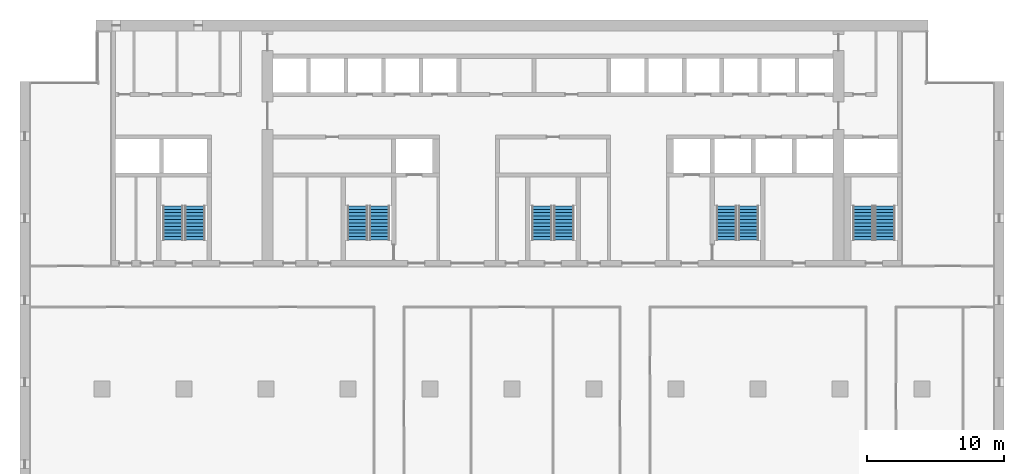
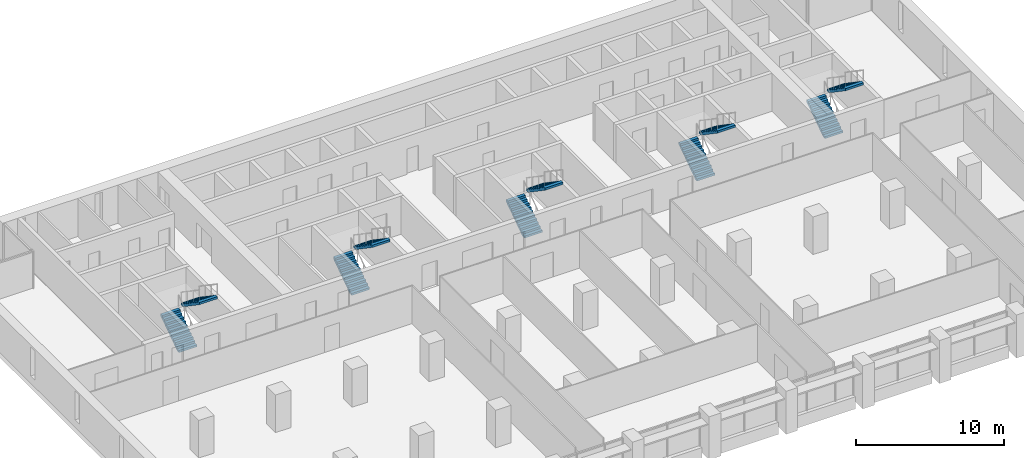
# One storey, part 12 of 15: 10 stair flights, 5 elements without a shape of their own.
"""IFC4 building model written with IfcOpenShell, lengths in metres."""

from ifc_helpers import new_model, si_unit, direction, frame, origin, place, context, subcontext, project, spatial, polyline, outline, extrude, material, type_object, element, aggregate, save


model = new_model("IFC4")

# Units and contexts
model_context = context("Model", 3, precision=1e-05, world=origin(), true_north=direction((0.0, 1.0)))
body_context = subcontext(model_context, "Body", "Model", "MODEL_VIEW")
ifc_project = project(units=[si_unit("LENGTHUNIT", "METRE"), si_unit("AREAUNIT", "SQUARE_METRE"), si_unit("VOLUMEUNIT", "CUBIC_METRE"), si_unit("PLANEANGLEUNIT", "RADIAN"), si_unit("MASSUNIT", "GRAM", prefix="KILO")], contexts=[model_context])

# Site, building, storey
site_placement = place(None, origin())
site = spatial("IfcSite", under=ifc_project, at=site_placement, CompositionType="ELEMENT")
building_placement = place(site_placement, origin())
building = spatial("IfcBuilding", under=site, at=building_placement, Name="Calvaro Tower", CompositionType="ELEMENT")
storey_placement = place(building_placement, frame((0.0, 0.0, 155.0)))
storey = spatial("IfcBuildingStorey", under=building, at=storey_placement, Name="L39", CompositionType="ELEMENT", Elevation=155.0)

# Stair, stair flights
ifc_material_1 = material(Name="Concrete C40/50", Category="concrete")
stair_type = type_object("IfcStairType", Name="Exit stair 1400 2 flights", PredefinedType="HALF_TURN_STAIR", material=ifc_material_1)
stair_1_placement = place(storey_placement, origin())
stair_1 = element("IfcStair", 1, at=stair_1_placement, inside=storey, type_object=stair_type, Name="Exit stair S1", PredefinedType="HALF_TURN_STAIR")
ifc_material_2 = material(Name="Concrete C40/50", Category="concrete")
stair_flight_type = type_object("IfcStairFlightType", Name="Stair flight", PredefinedType="STRAIGHT", material=ifc_material_2)
stair_flight_1_placement = place(storey_placement, frame((11.199951171875, 29.89990234375, 0.0), z_axis=(0.0, 0.0, 1.0), x_axis=(0.0, 1.0, 0.0)))
stair_flight_1 = element("IfcStairFlight", 2, at=stair_flight_1_placement, type_object=stair_flight_type, Name="Exit stair 1, flight 1", NumberOfRisers=11, NumberOfTreads=10, PredefinedType="STRAIGHT", RiserHeight=0.170454545, TreadLength=0.25, context=body_context, shape_type="SweptSolid", body=[
    extrude(outline(polyline([(0.0, 0.0), (0.0, 0.17041015625), (0.25, 0.17041015625), (0.25, 0.3408203125), (0.5, 0.3408203125), (0.5, 0.511474609375), (0.75, 0.511474609375), (0.75, 0.681884765625), (1.0, 0.681884765625), (1.0, 0.852294921875), (1.25, 0.852294921875), (1.25, 1.022705078125), (1.5, 1.022705078125), (1.5, 1.193115234375), (1.75, 1.193115234375), (1.75, 1.363525390625), (2.0, 1.363525390625), (2.0, 1.5341796875), (2.25, 1.5341796875), (2.25, 1.70458984375), (2.5, 1.70458984375), (2.5, 1.875), (2.5, 1.523193359375), (0.26611328125, 0.0), (0.0, 0.0)])), frame((0.0, 0.699951171875, 0.0), z_axis=(0.0, -1.0, 0.0), x_axis=(1.0, 0.0, 0.0)), (0.0, 0.0, 1.0), 1.39990234375),
])
stair_flight_2_placement = place(storey_placement, frame((12.800048828125, 32.39990234375, 1.875), z_axis=(0.0, 0.0, 1.0), x_axis=(0.0, -1.0, 0.0)))
stair_flight_2 = element("IfcStairFlight", 3, at=stair_flight_2_placement, type_object=stair_flight_type, Name="Exit stair 1, flight 2", NumberOfRisers=11, NumberOfTreads=10, PredefinedType="STRAIGHT", RiserHeight=0.170454545, TreadLength=0.25, context=body_context, shape_type="SweptSolid", body=[
    extrude(outline(polyline([(0.0, 0.0), (0.0, 0.17041015625), (0.25, 0.17041015625), (0.25, 0.3408203125), (0.5, 0.3408203125), (0.5, 0.511474609375), (0.75, 0.511474609375), (0.75, 0.681884765625), (1.0, 0.681884765625), (1.0, 0.852294921875), (1.25, 0.852294921875), (1.25, 1.022705078125), (1.5, 1.022705078125), (1.5, 1.193115234375), (1.75, 1.193115234375), (1.75, 1.363525390625), (2.0, 1.363525390625), (2.0, 1.5341796875), (2.25, 1.5341796875), (2.25, 1.70458984375), (2.5, 1.70458984375), (2.5, 1.875), (2.5, 1.523193359375), (0.26611328125, 0.0), (0.0, 0.0)])), frame((0.0, 0.699951171875, 0.0), z_axis=(0.0, -1.0, 0.0), x_axis=(1.0, 0.0, 0.0)), (0.0, 0.0, 1.0), 1.39990234375),
])
aggregate(stair_1, [stair_flight_1, stair_flight_2])

stair_2_placement = place(storey_placement, origin())
stair_2 = element("IfcStair", 4, at=stair_2_placement, inside=storey, type_object=stair_type, Name="Exit stair S2", PredefinedType="HALF_TURN_STAIR")
stair_flight_3_placement = place(storey_placement, frame((24.699951171875, 29.89990234375, 0.0), z_axis=(0.0, 0.0, 1.0), x_axis=(0.0, 1.0, 0.0)))
stair_flight_3 = element("IfcStairFlight", 5, at=stair_flight_3_placement, type_object=stair_flight_type, Name="Exit stair 2, flight 1", NumberOfRisers=11, NumberOfTreads=10, PredefinedType="STRAIGHT", RiserHeight=0.170454545, TreadLength=0.25, context=body_context, shape_type="SweptSolid", body=[
    extrude(outline(polyline([(0.0, 0.0), (0.0, 0.17041015625), (0.25, 0.17041015625), (0.25, 0.3408203125), (0.5, 0.3408203125), (0.5, 0.511474609375), (0.75, 0.511474609375), (0.75, 0.681884765625), (1.0, 0.681884765625), (1.0, 0.852294921875), (1.25, 0.852294921875), (1.25, 1.022705078125), (1.5, 1.022705078125), (1.5, 1.193115234375), (1.75, 1.193115234375), (1.75, 1.363525390625), (2.0, 1.363525390625), (2.0, 1.5341796875), (2.25, 1.5341796875), (2.25, 1.70458984375), (2.5, 1.70458984375), (2.5, 1.875), (2.5, 1.523193359375), (0.26611328125, 0.0), (0.0, 0.0)])), frame((0.0, 0.699951171875, 0.0), z_axis=(0.0, -1.0, 0.0), x_axis=(1.0, 0.0, 0.0)), (0.0, 0.0, 1.0), 1.39990234375),
])
stair_flight_4_placement = place(storey_placement, frame((26.300048828125, 32.39990234375, 1.875), z_axis=(0.0, 0.0, 1.0), x_axis=(0.0, -1.0, 0.0)))
stair_flight_4 = element("IfcStairFlight", 6, at=stair_flight_4_placement, type_object=stair_flight_type, Name="Exit stair 2, flight 2", NumberOfRisers=11, NumberOfTreads=10, PredefinedType="STRAIGHT", RiserHeight=0.170454545, TreadLength=0.25, context=body_context, shape_type="SweptSolid", body=[
    extrude(outline(polyline([(0.0, 0.0), (0.0, 0.17041015625), (0.25, 0.17041015625), (0.25, 0.3408203125), (0.5, 0.3408203125), (0.5, 0.511474609375), (0.75, 0.511474609375), (0.75, 0.681884765625), (1.0, 0.681884765625), (1.0, 0.852294921875), (1.25, 0.852294921875), (1.25, 1.022705078125), (1.5, 1.022705078125), (1.5, 1.193115234375), (1.75, 1.193115234375), (1.75, 1.363525390625), (2.0, 1.363525390625), (2.0, 1.5341796875), (2.25, 1.5341796875), (2.25, 1.70458984375), (2.5, 1.70458984375), (2.5, 1.875), (2.5, 1.523193359375), (0.26611328125, 0.0), (0.0, 0.0)])), frame((0.0, 0.699951171875, 0.0), z_axis=(0.0, -1.0, 0.0), x_axis=(1.0, 0.0, 0.0)), (0.0, 0.0, 1.0), 1.39990234375),
])
aggregate(stair_2, [stair_flight_3, stair_flight_4])

stair_3_placement = place(storey_placement, origin())
stair_3 = element("IfcStair", 7, at=stair_3_placement, inside=storey, type_object=stair_type, Name="Exit stair S3", PredefinedType="HALF_TURN_STAIR")
stair_flight_5_placement = place(storey_placement, frame((38.199951171875, 29.89990234375, 0.0), z_axis=(0.0, 0.0, 1.0), x_axis=(0.0, 1.0, 0.0)))
stair_flight_5 = element("IfcStairFlight", 8, at=stair_flight_5_placement, type_object=stair_flight_type, Name="Exit stair 3, flight 1", NumberOfRisers=11, NumberOfTreads=10, PredefinedType="STRAIGHT", RiserHeight=0.170454545, TreadLength=0.25, context=body_context, shape_type="SweptSolid", body=[
    extrude(outline(polyline([(0.0, 0.0), (0.0, 0.17041015625), (0.25, 0.17041015625), (0.25, 0.3408203125), (0.5, 0.3408203125), (0.5, 0.511474609375), (0.75, 0.511474609375), (0.75, 0.681884765625), (1.0, 0.681884765625), (1.0, 0.852294921875), (1.25, 0.852294921875), (1.25, 1.022705078125), (1.5, 1.022705078125), (1.5, 1.193115234375), (1.75, 1.193115234375), (1.75, 1.363525390625), (2.0, 1.363525390625), (2.0, 1.5341796875), (2.25, 1.5341796875), (2.25, 1.70458984375), (2.5, 1.70458984375), (2.5, 1.875), (2.5, 1.523193359375), (0.26611328125, 0.0), (0.0, 0.0)])), frame((0.0, 0.699951171875, 0.0), z_axis=(0.0, -1.0, 0.0), x_axis=(1.0, 0.0, 0.0)), (0.0, 0.0, 1.0), 1.39990234375),
])
stair_flight_6_placement = place(storey_placement, frame((39.800048828125, 32.39990234375, 1.875), z_axis=(0.0, 0.0, 1.0), x_axis=(0.0, -1.0, 0.0)))
stair_flight_6 = element("IfcStairFlight", 9, at=stair_flight_6_placement, type_object=stair_flight_type, Name="Exit stair 3, flight 2", NumberOfRisers=11, NumberOfTreads=10, PredefinedType="STRAIGHT", RiserHeight=0.170454545, TreadLength=0.25, context=body_context, shape_type="SweptSolid", body=[
    extrude(outline(polyline([(0.0, 0.0), (0.0, 0.17041015625), (0.25, 0.17041015625), (0.25, 0.3408203125), (0.5, 0.3408203125), (0.5, 0.511474609375), (0.75, 0.511474609375), (0.75, 0.681884765625), (1.0, 0.681884765625), (1.0, 0.852294921875), (1.25, 0.852294921875), (1.25, 1.022705078125), (1.5, 1.022705078125), (1.5, 1.193115234375), (1.75, 1.193115234375), (1.75, 1.363525390625), (2.0, 1.363525390625), (2.0, 1.5341796875), (2.25, 1.5341796875), (2.25, 1.70458984375), (2.5, 1.70458984375), (2.5, 1.875), (2.5, 1.523193359375), (0.26611328125, 0.0), (0.0, 0.0)])), frame((0.0, 0.699951171875, 0.0), z_axis=(0.0, -1.0, 0.0), x_axis=(1.0, 0.0, 0.0)), (0.0, 0.0, 1.0), 1.39990234375),
])
aggregate(stair_3, [stair_flight_5, stair_flight_6])

stair_4_placement = place(storey_placement, origin())
stair_4 = element("IfcStair", 10, at=stair_4_placement, inside=storey, type_object=stair_type, Name="Exit stair S4", PredefinedType="HALF_TURN_STAIR")
stair_flight_7_placement = place(storey_placement, frame((51.699951171875, 29.89990234375, 0.0), z_axis=(0.0, 0.0, 1.0), x_axis=(0.0, 1.0, 0.0)))
stair_flight_7 = element("IfcStairFlight", 11, at=stair_flight_7_placement, type_object=stair_flight_type, Name="Exit stair 4, flight 1", NumberOfRisers=11, NumberOfTreads=10, PredefinedType="STRAIGHT", RiserHeight=0.170454545, TreadLength=0.25, context=body_context, shape_type="SweptSolid", body=[
    extrude(outline(polyline([(0.0, 0.0), (0.0, 0.17041015625), (0.25, 0.17041015625), (0.25, 0.3408203125), (0.5, 0.3408203125), (0.5, 0.511474609375), (0.75, 0.511474609375), (0.75, 0.681884765625), (1.0, 0.681884765625), (1.0, 0.852294921875), (1.25, 0.852294921875), (1.25, 1.022705078125), (1.5, 1.022705078125), (1.5, 1.193115234375), (1.75, 1.193115234375), (1.75, 1.363525390625), (2.0, 1.363525390625), (2.0, 1.5341796875), (2.25, 1.5341796875), (2.25, 1.70458984375), (2.5, 1.70458984375), (2.5, 1.875), (2.5, 1.523193359375), (0.26611328125, 0.0), (0.0, 0.0)])), frame((0.0, 0.699951171875, 0.0), z_axis=(0.0, -1.0, 0.0), x_axis=(1.0, 0.0, 0.0)), (0.0, 0.0, 1.0), 1.39990234375),
])
stair_flight_8_placement = place(storey_placement, frame((53.300048828125, 32.39990234375, 1.875), z_axis=(0.0, 0.0, 1.0), x_axis=(0.0, -1.0, 0.0)))
stair_flight_8 = element("IfcStairFlight", 12, at=stair_flight_8_placement, type_object=stair_flight_type, Name="Exit stair 4, flight 2", NumberOfRisers=11, NumberOfTreads=10, PredefinedType="STRAIGHT", RiserHeight=0.170454545, TreadLength=0.25, context=body_context, shape_type="SweptSolid", body=[
    extrude(outline(polyline([(0.0, 0.0), (0.0, 0.17041015625), (0.25, 0.17041015625), (0.25, 0.3408203125), (0.5, 0.3408203125), (0.5, 0.511474609375), (0.75, 0.511474609375), (0.75, 0.681884765625), (1.0, 0.681884765625), (1.0, 0.852294921875), (1.25, 0.852294921875), (1.25, 1.022705078125), (1.5, 1.022705078125), (1.5, 1.193115234375), (1.75, 1.193115234375), (1.75, 1.363525390625), (2.0, 1.363525390625), (2.0, 1.5341796875), (2.25, 1.5341796875), (2.25, 1.70458984375), (2.5, 1.70458984375), (2.5, 1.875), (2.5, 1.523193359375), (0.26611328125, 0.0), (0.0, 0.0)])), frame((0.0, 0.699951171875, 0.0), z_axis=(0.0, -1.0, 0.0), x_axis=(1.0, 0.0, 0.0)), (0.0, 0.0, 1.0), 1.39990234375),
])
aggregate(stair_4, [stair_flight_7, stair_flight_8])

stair_5_placement = place(storey_placement, origin())
stair_5 = element("IfcStair", 13, at=stair_5_placement, inside=storey, type_object=stair_type, Name="Exit stair S5", PredefinedType="HALF_TURN_STAIR")
stair_flight_9_placement = place(storey_placement, frame((61.699951171875, 29.89990234375, 0.0), z_axis=(0.0, 0.0, 1.0), x_axis=(0.0, 1.0, 0.0)))
stair_flight_9 = element("IfcStairFlight", 14, at=stair_flight_9_placement, type_object=stair_flight_type, Name="Exit stair 5, flight 1", NumberOfRisers=11, NumberOfTreads=10, PredefinedType="STRAIGHT", RiserHeight=0.170454545, TreadLength=0.25, context=body_context, shape_type="SweptSolid", body=[
    extrude(outline(polyline([(0.0, 0.0), (0.0, 0.17041015625), (0.25, 0.17041015625), (0.25, 0.3408203125), (0.5, 0.3408203125), (0.5, 0.511474609375), (0.75, 0.511474609375), (0.75, 0.681884765625), (1.0, 0.681884765625), (1.0, 0.852294921875), (1.25, 0.852294921875), (1.25, 1.022705078125), (1.5, 1.022705078125), (1.5, 1.193115234375), (1.75, 1.193115234375), (1.75, 1.363525390625), (2.0, 1.363525390625), (2.0, 1.5341796875), (2.25, 1.5341796875), (2.25, 1.70458984375), (2.5, 1.70458984375), (2.5, 1.875), (2.5, 1.523193359375), (0.26611328125, 0.0), (0.0, 0.0)])), frame((0.0, 0.699951171875, 0.0), z_axis=(0.0, -1.0, 0.0), x_axis=(1.0, 0.0, 0.0)), (0.0, 0.0, 1.0), 1.39990234375),
])
stair_flight_10_placement = place(storey_placement, frame((63.300048828125, 32.39990234375, 1.875), z_axis=(0.0, 0.0, 1.0), x_axis=(0.0, -1.0, 0.0)))
stair_flight_10 = element("IfcStairFlight", 15, at=stair_flight_10_placement, type_object=stair_flight_type, Name="Exit stair 5, flight 2", NumberOfRisers=11, NumberOfTreads=10, PredefinedType="STRAIGHT", RiserHeight=0.170454545, TreadLength=0.25, context=body_context, shape_type="SweptSolid", body=[
    extrude(outline(polyline([(0.0, 0.0), (0.0, 0.17041015625), (0.25, 0.17041015625), (0.25, 0.3408203125), (0.5, 0.3408203125), (0.5, 0.511474609375), (0.75, 0.511474609375), (0.75, 0.681884765625), (1.0, 0.681884765625), (1.0, 0.852294921875), (1.25, 0.852294921875), (1.25, 1.022705078125), (1.5, 1.022705078125), (1.5, 1.193115234375), (1.75, 1.193115234375), (1.75, 1.363525390625), (2.0, 1.363525390625), (2.0, 1.5341796875), (2.25, 1.5341796875), (2.25, 1.70458984375), (2.5, 1.70458984375), (2.5, 1.875), (2.5, 1.523193359375), (0.26611328125, 0.0), (0.0, 0.0)])), frame((0.0, 0.699951171875, 0.0), z_axis=(0.0, -1.0, 0.0), x_axis=(1.0, 0.0, 0.0)), (0.0, 0.0, 1.0), 1.39990234375),
])
aggregate(stair_5, [stair_flight_9, stair_flight_10])

save(model, "model.ifc")
